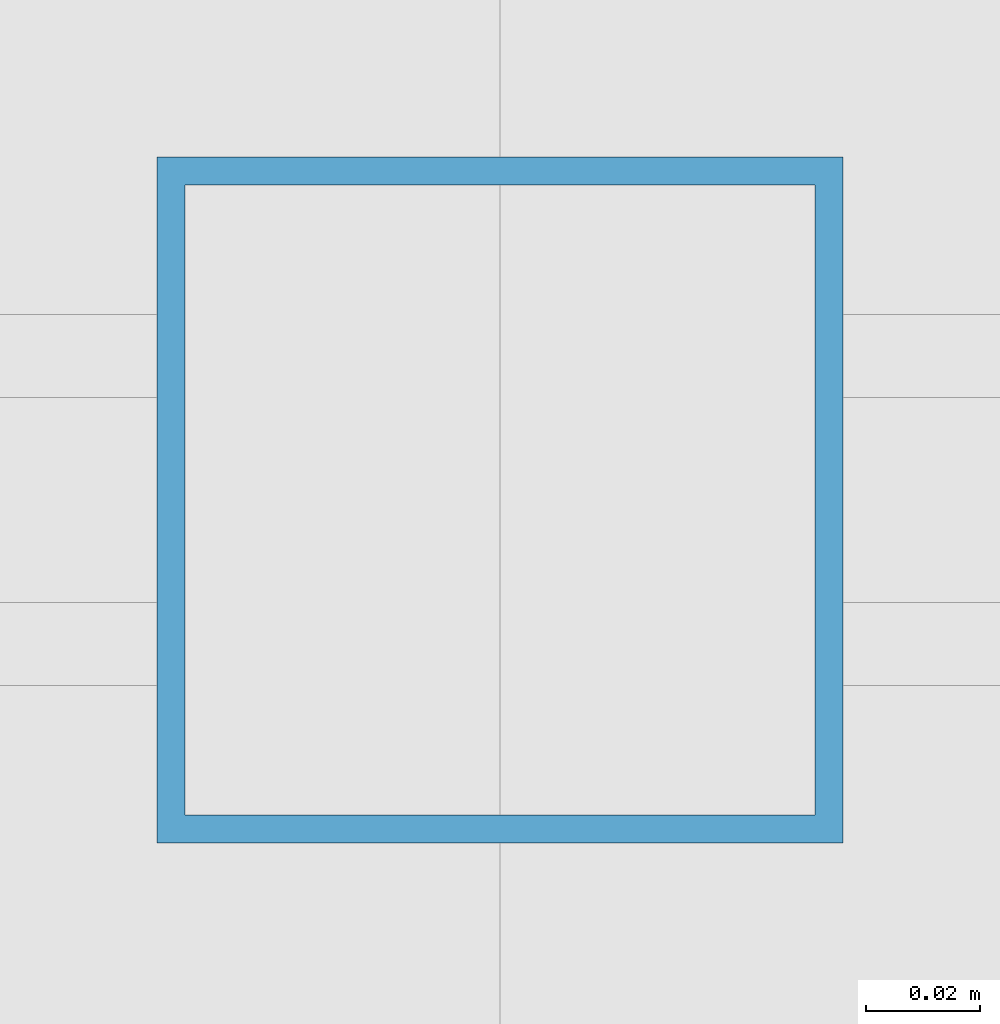
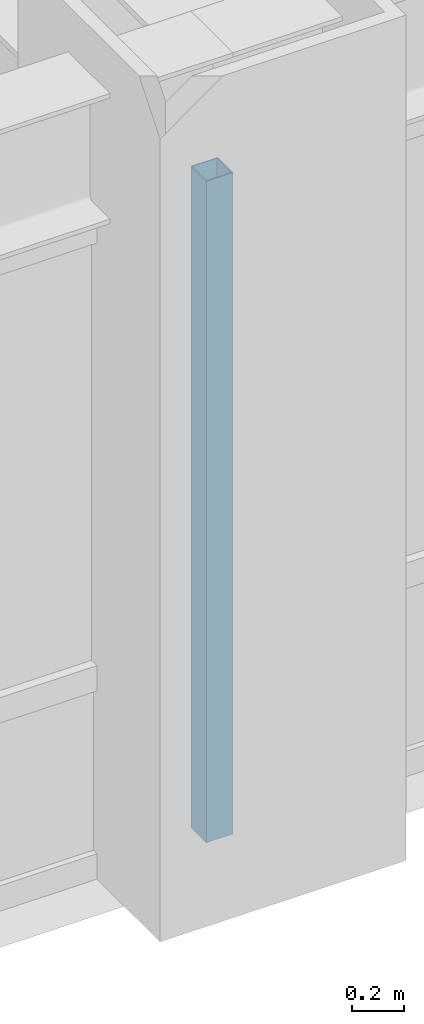
# One storey, part 4 of 24: 1 member, 1 element without a shape of its own.
"""IFC4 building model written with IfcOpenShell, lengths in metres."""

from ifc_helpers import new_model, si_unit, direction, frame, origin, origin_2d, place, context, subcontext, project, spatial, hollow_rectangle, extrude, source, transform, mapped, material, material_profile, profile_set, type_object, element, aggregate, save


model = new_model("IFC4")

# Units and contexts
model_context = context("Model", 3, precision=1e-05, world=origin(), true_north=direction((0.0, 1.0)))
body_context = subcontext(model_context, "Body", "Model", "MODEL_VIEW")
ifc_project = project(units=[si_unit("LENGTHUNIT", "METRE"), si_unit("AREAUNIT", "SQUARE_METRE"), si_unit("VOLUMEUNIT", "CUBIC_METRE"), si_unit("PLANEANGLEUNIT", "RADIAN"), si_unit("MASSUNIT", "GRAM", prefix="KILO")], contexts=[model_context])

# Site, building, storey
site_placement = place(None, origin())
site = spatial("IfcSite", under=ifc_project, at=site_placement, CompositionType="ELEMENT")
building_placement = place(site_placement, origin())
building = spatial("IfcBuilding", under=site, at=building_placement, Name="Khorayat Bourse Tower", CompositionType="ELEMENT")
storey_placement = place(building_placement, frame((0.0, 0.0, 203.10009765625)))
storey = spatial("IfcBuildingStorey", under=building, at=storey_placement, Name="L47", CompositionType="ELEMENT", Elevation=203.10009765625)

# Curtain wall, member
ifc_material = material(Name="Aluminium EN AW-6063 T6", Category="aluminium")
curtain_wall_type = type_object("IfcCurtainWallType", Name="CW-SYS-03", PredefinedType="NOTDEFINED", material=ifc_material)
curtain_wall_placement = place(storey_placement, origin())
curtain_wall = element("IfcCurtainWall", 1, at=curtain_wall_placement, inside=storey, type_object=curtain_wall_type, Name="L47 Curtain Wall CW-L47-S1", PredefinedType="NOTDEFINED")
ifc_material_profile = material_profile(ifc_material, hollow_rectangle(XDim=0.1201171875, YDim=0.1201171875, WallThickness=0.0048828125, at=origin_2d()), Name="ALU 120x120x5")
ifc_profile_set = profile_set([ifc_material_profile], Name="Aluminium EN AW-6063 T6")
member_type = type_object("IfcMemberType", Name="CWM-VERT-120", PredefinedType="MULLION", material=ifc_profile_set)
shared_shape = source(origin(), body_context, "Body", "SweptSolid", [
    extrude(hollow_rectangle(XDim=0.1201171875, YDim=0.1201171875, WallThickness=0.0048828125, at=origin_2d()), origin(), (0.0, 0.0, 1.0), 3.1298828125),
])
member_placement = place(storey_placement, frame((0.0, -30.0, 0.0), z_axis=(0.0, 0.0, 1.0), x_axis=(0.0, 1.0, 0.0)))
member = element("IfcMember", 2, at=member_placement, type_object=member_type, Name="CW-L47-S1 Vertical Mullion 2", PredefinedType="MULLION", context=body_context, shape_type="MappedRepresentation", body=[
    mapped(shared_shape, transform((0.0, 0.0, 0.0), scale=1.0)),
])
aggregate(curtain_wall, [member])

save(model, "model.ifc")
